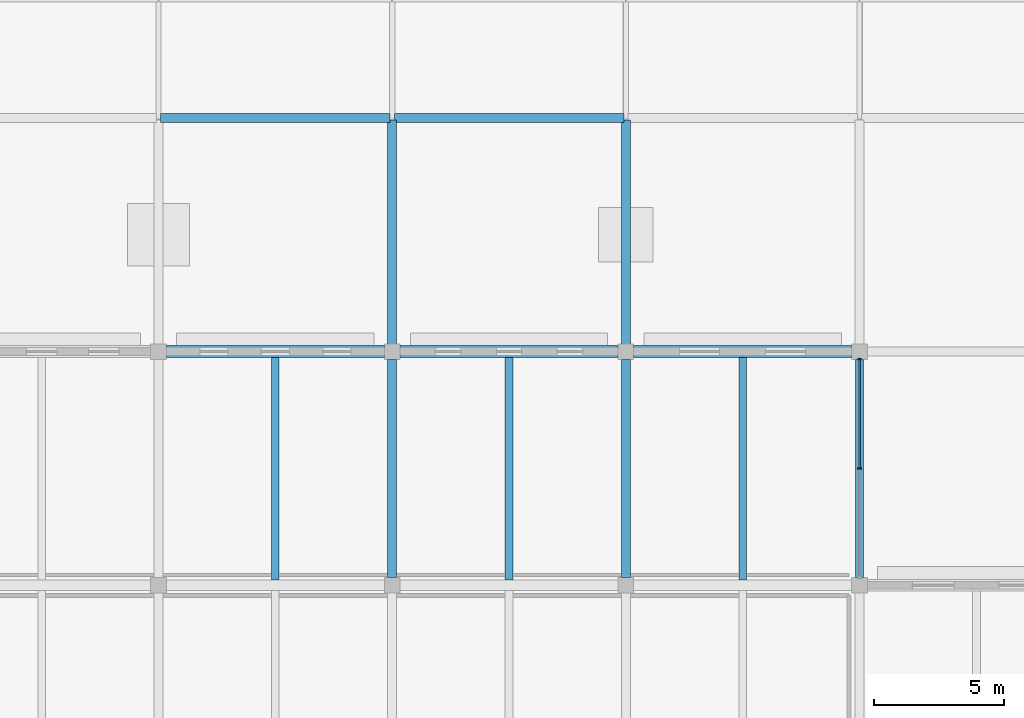
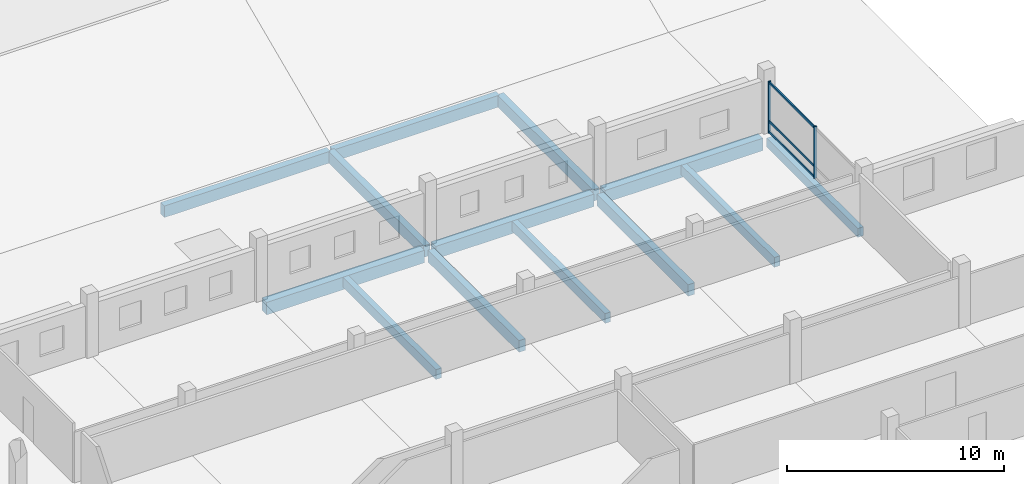
# One storey, part 17 of 163: 13 beams, 5 members, 1 element without a shape of its own.
"""IFC4 building model written with IfcOpenShell, lengths in metres."""

import ifcopenshell
import ifcopenshell.guid

model = None  # the IFC model being written
_history = None  # IfcOwnerHistory: only IFC2X3 demands one
_inside = {}  # id of a spatial element -> (the spatial element, [elements in it])
_under = {}  # id of a project, library or spatial element -> (it, [spatial elements below it])
_declared = {}  # id of a project -> (the project, [libraries it declares])
_typed = {}  # id of a type object -> (the type object, [elements of that type])
_made_of = {}  # id of a material, layer set ... -> (it, [elements and type objects made of it])


def new_model(schema):
    """Start an empty IFC model of exactly this schema.

    Asked for "IFC4X3", IfcOpenShell would pick the latest addendum, in which some entities
    have other attributes; the version numbers below select the first issue.
    IFC2X3 requires an IfcOwnerHistory on every rooted entity: one is made here for all.
    """
    global model, _history
    if schema == "IFC4X3":
        model = ifcopenshell.file(schema_version=(4, 3, 0, 0))
    else:
        model = ifcopenshell.file(schema=schema)
    _inside.clear()
    _under.clear()
    _declared.clear()
    _typed.clear()
    _made_of.clear()
    _history = None
    if model.schema == "IFC2X3":
        org = make("IfcOrganization", Name="unknown")
        user = make(
            "IfcPersonAndOrganization",
            ThePerson=make("IfcPerson", FamilyName="unknown"),
            TheOrganization=org,
        )
        app = make(
            "IfcApplication",
            ApplicationDeveloper=org,
            Version="unknown",
            ApplicationFullName="unknown",
            ApplicationIdentifier="unknown",
        )
        _history = make(
            "IfcOwnerHistory",
            OwningUser=user,
            OwningApplication=app,
            ChangeAction="ADDED",
            CreationDate=0,
        )
    return model


def make(cls, **values):
    """One entity of the class cls with the attributes given. An attribute that is None is left unset."""
    return model.create_entity(
        cls, **{name: value for name, value in values.items() if value is not None}
    )


def rooted(cls, **values):
    """An entity with a GlobalId (a new one), such as an element, a storey or a relation."""
    return make(cls, GlobalId=ifcopenshell.guid.new(), OwnerHistory=_history, **values)


def si_unit(unit_type, name, prefix=None):
    """IfcSIUnit, for example si_unit("LENGTHUNIT", "METRE", prefix="MILLI")."""
    return make("IfcSIUnit", UnitType=unit_type, Prefix=prefix, Name=name)


def assignment(units):
    """IfcUnitAssignment: the units of a project."""
    return None if units is None else make("IfcUnitAssignment", Units=units)


def point(xyz):
    """IfcCartesianPoint."""
    return None if xyz is None else make("IfcCartesianPoint", Coordinates=xyz)


def direction(xyz):
    """IfcDirection."""
    return None if xyz is None else make("IfcDirection", DirectionRatios=xyz)


def frame(location, z_axis=None, x_axis=None):
    """IfcAxis2Placement3D, a coordinate frame: its origin and axes. An axis left out is left unset."""
    return make(
        "IfcAxis2Placement3D",
        Location=point(location),
        Axis=direction(z_axis),
        RefDirection=direction(x_axis),
    )


def frame_2d(location, x_axis=None):
    """IfcAxis2Placement2D, a coordinate frame in the plane: its origin and x axis."""
    return make(
        "IfcAxis2Placement2D", Location=point(location), RefDirection=direction(x_axis)
    )


def origin():
    """The frame at (0, 0, 0) with its axes left unset."""
    return frame((0.0, 0.0, 0.0))


def origin_2d():
    """The frame at (0, 0) in the plane with its x axis left unset."""
    return frame_2d((0.0, 0.0))


def place(relative_to, where):
    """IfcLocalPlacement: puts the frame where relative to a parent placement (None: the world)."""
    return make(
        "IfcLocalPlacement", PlacementRelTo=relative_to, RelativePlacement=where
    )


def context(
    kind, dimensions, precision=None, world=None, true_north=None, identifier=None
):
    """IfcGeometricRepresentationContext, for example the 3D "Model" context."""
    return make(
        "IfcGeometricRepresentationContext",
        ContextIdentifier=identifier,
        ContextType=kind,
        CoordinateSpaceDimension=dimensions,
        Precision=precision,
        WorldCoordinateSystem=world,
        TrueNorth=true_north,
    )


def subcontext(parent, identifier, kind, view, scale=None):
    """IfcGeometricRepresentationSubContext, for example "Body" below "Model"."""
    return make(
        "IfcGeometricRepresentationSubContext",
        ContextIdentifier=identifier,
        ContextType=kind,
        ParentContext=parent,
        TargetScale=scale,
        TargetView=view,
    )


def project(units=None, contexts=None):
    """IfcProject with its units and contexts."""
    return rooted(
        "IfcProject",
        Name="project",
        RepresentationContexts=contexts,
        UnitsInContext=assignment(units),
    )


def spatial(cls, under=None, at=None, **own):
    """A site, building, storey or space (cls), placed at a placement, below another one or the project."""
    s = rooted(cls, ObjectPlacement=at, **own)
    if under is not None:
        _under.setdefault(under.id(), (under, []))[1].append(s)
    return s


def profile(cls, at=None, kind="AREA", **sizes):
    """A parametric profile (cls). Its sizes go by their IFC names, for example OverallWidth=200.0."""
    return make(cls, ProfileType=kind, Position=at, **sizes)


def rectangle(**sizes):
    """IfcRectangleProfileDef."""
    return profile("IfcRectangleProfileDef", **sizes)


def extrude(swept, where, along, depth):
    """IfcExtrudedAreaSolid: the profile swept, set in the frame where, extruded along a direction by depth."""
    return make(
        "IfcExtrudedAreaSolid",
        SweptArea=swept,
        Position=where,
        ExtrudedDirection=direction(along),
        Depth=depth,
    )


def shape(context_of_items, identifier, shape_type, items):
    """IfcShapeRepresentation: the items that make up one representation, for example the "Body"."""
    return make(
        "IfcShapeRepresentation",
        ContextOfItems=context_of_items,
        RepresentationIdentifier=identifier,
        RepresentationType=shape_type,
        Items=items,
    )


def material(Name=None, Category=None):
    """IfcMaterial."""
    return make("IfcMaterial", Name=Name, Category=Category)


def material_profile(
    of_material, cross_section, Name=None, Category=None, Priority=None
):
    """IfcMaterialProfile: a cross section and its material."""
    return make(
        "IfcMaterialProfile",
        Name=Name,
        Material=of_material,
        Profile=cross_section,
        Priority=Priority,
        Category=Category,
    )


def profile_set(profiles, Name=None, composite=None):
    """IfcMaterialProfileSet."""
    return make(
        "IfcMaterialProfileSet",
        Name=Name,
        MaterialProfiles=profiles,
        CompositeProfile=composite,
    )


def made_of(thing, what):
    """Note that an element or type object is made of a material, layer set ...; save() writes the relation."""
    if what is not None:
        _made_of.setdefault(what.id(), (what, []))[1].append(thing)
    return thing


def type_object(cls, material=None, **own):
    """A type object (cls), such as IfcWallType, which elements share."""
    return made_of(rooted(cls, **own), material)


def element(
    cls,
    number,
    at=None,
    inside=None,
    cuts=None,
    type_object=None,
    material=None,
    context=None,
    identifier="Body",
    shape_type=None,
    held_by="IfcProductDefinitionShape",
    body=None,
    shapes=None,
    **own,
):
    """One element of the class cls, such as IfcWall. Its Tag is "e" and its number.

    at: its placement. inside: the storey or other place that contains it. cuts: it is an
    opening in that element (IfcRelVoidsElement). A single representation is given by context,
    identifier, shape_type and body (its items); several are given by shapes. held_by: the class
    of the entity that holds the representations. save() writes the other relations.
    """
    e = rooted(cls, Tag="e%d" % number, ObjectPlacement=at, **own)
    if body is not None:
        shapes = [shape(context, identifier, shape_type, body)]
    if shapes is not None:
        e.Representation = make(held_by, Representations=shapes)
    if inside is not None:
        _inside.setdefault(inside.id(), (inside, []))[1].append(e)
    if cuts is not None:
        rooted(
            "IfcRelVoidsElement", RelatingBuildingElement=cuts, RelatedOpeningElement=e
        )
    if type_object is not None:
        _typed.setdefault(type_object.id(), (type_object, []))[1].append(e)
    return made_of(e, material)


def aggregate(whole, parts):
    """IfcRelAggregates: a whole, such as a stair, and the parts it consists of."""
    return rooted("IfcRelAggregates", RelatingObject=whole, RelatedObjects=parts)


def save(model, path):
    """Write the relations noted so far, then the file.

    IfcRelAggregates (storeys below a building ...), IfcRelContainedInSpatialStructure (elements
    in a storey), IfcRelDefinesByType, IfcRelAssociatesMaterial and IfcRelDeclares: one each for
    every whole, place, type object, material and project.
    """
    for whole, parts in _under.values():
        aggregate(whole, parts)
    for where, things in _inside.values():
        rooted(
            "IfcRelContainedInSpatialStructure",
            RelatedElements=things,
            RelatingStructure=where,
        )
    for kind, things in _typed.values():
        rooted("IfcRelDefinesByType", RelatedObjects=things, RelatingType=kind)
    for what, things in _made_of.values():
        rooted("IfcRelAssociatesMaterial", RelatedObjects=things, RelatingMaterial=what)
    for by, libraries in _declared.values():
        rooted("IfcRelDeclares", RelatingContext=by, RelatedDefinitions=libraries)
    model.write(path)


model = new_model("IFC4")

# Units and contexts
model_context = context("Model", 3, precision=1e-05, world=origin(), true_north=direction((0.0, 1.0)))
body_context = subcontext(model_context, "Body", "Model", "MODEL_VIEW")
ifc_project = project(units=[si_unit("LENGTHUNIT", "METRE"), si_unit("AREAUNIT", "SQUARE_METRE"), si_unit("VOLUMEUNIT", "CUBIC_METRE"), si_unit("PLANEANGLEUNIT", "RADIAN"), si_unit("MASSUNIT", "GRAM", prefix="KILO")], contexts=[model_context])

# Site, building, storey
site_placement = place(None, origin())
site = spatial("IfcSite", under=ifc_project, at=site_placement, CompositionType="ELEMENT")
building_placement = place(site_placement, origin())
building = spatial("IfcBuilding", under=site, at=building_placement, Name="Tharagai Park Tramway Depot", CompositionType="ELEMENT")
storey_placement = place(building_placement, frame((0.0, 0.0, 8.39990234375)))
storey = spatial("IfcBuildingStorey", under=building, at=storey_placement, Name="L02", CompositionType="ELEMENT", Elevation=8.39990234375)

# Beams
ifc_material_1 = material(Name="Concrete M35", Category="concrete")
ifc_material_profile_1 = material_profile(ifc_material_1, rectangle(XDim=0.35009765625, YDim=0.64990234375, at=origin_2d()), Name="RC 350x650")
ifc_profile_set_1 = profile_set([ifc_material_profile_1], Name="Concrete M35")
beam_type_1 = type_object("IfcBeamType", Name="BM-13", PredefinedType="BEAM", material=ifc_profile_set_1)
for number, where, z_axis, x_axis, name in (
    (1, (36.0, 27.300048828125, -0.574951171875), (0.0, 1.0, 0.0), (-1.0, 0.0, 0.0), "L02 Grid Beam BM-13"),
    (2, (45.0, 27.300048828125, -0.574951171875), (0.0, 1.0, 0.0), (-1.0, 0.0, 0.0), "L02 Grid Beam BM-13"),
):
    element("IfcBeam", number, at=place(storey_placement, frame(where, z_axis=z_axis, x_axis=x_axis)), inside=storey, type_object=beam_type_1, Name=name, PredefinedType="BEAM", context=body_context, shape_type="SweptSolid", body=[
        extrude(rectangle(XDim=0.35009765625, YDim=0.64990234375, at=origin_2d()), origin(), (0.0, 0.0, 1.0), 8.39990234375),
    ])
for number, where, z_axis, x_axis, name in (
    (3, (36.0, 36.080078125, -0.56494140625), (0.0, 1.0, 0.0), (-1.0, 0.0, 0.0), "L02 Roof Support Beam BM-13"),
    (4, (45.0, 36.080078125, -0.56494140625), (0.0, 1.0, 0.0), (-1.0, 0.0, 0.0), "L02 Roof Support Beam BM-13"),
    (5, (27.080078125, 45.0, -0.56494140625), (1.0, 0.0, 0.0), (0.0, 1.0, 0.0), "L02 Roof Support Beam BM-13"),
    (6, (36.080078125, 45.0, -0.56494140625), (1.0, 0.0, 0.0), (0.0, 1.0, 0.0), "L02 Roof Support Beam BM-13"),
):
    element("IfcBeam", number, at=place(storey_placement, frame(where, z_axis=z_axis, x_axis=x_axis)), inside=storey, type_object=beam_type_1, Name=name, PredefinedType="BEAM", context=body_context, shape_type="SweptSolid", body=[
        extrude(rectangle(XDim=0.35009765625, YDim=0.64990234375, at=origin_2d()), origin(), (0.0, 0.0, 1.0), 8.83984375),
    ])

# Curtain wall, members
ifc_material_2 = material(Name="Anodised aluminium", Category="aluminium")
curtain_wall_type = type_object("IfcCurtainWallType", Name="CW-07", PredefinedType="NOTDEFINED", material=ifc_material_2)
curtain_wall_placement = place(storey_placement, origin())
curtain_wall = element("IfcCurtainWall", 7, at=curtain_wall_placement, inside=storey, type_object=curtain_wall_type, Name="L02 V4 Side Mullioned Curtain Wall CW-07", PredefinedType="NOTDEFINED")
ifc_material_profile_2 = material_profile(ifc_material_2, rectangle(XDim=0.06494140625, YDim=0.1201171875, at=origin_2d()), Name="ALU 65x120")
ifc_profile_set_2 = profile_set([ifc_material_profile_2], Name="Anodised aluminium")
member_type_1 = type_object("IfcMemberType", Name="CM-01", PredefinedType="USERDEFINED", material=ifc_profile_set_2)
member_1_placement = place(storey_placement, frame((54.0, 31.514892578125, 0.06005859375), z_axis=(0.0, 1.0, 0.0), x_axis=(-1.0, 0.0, 0.0)))
member_1 = element("IfcMember", 8, at=member_1_placement, type_object=member_type_1, Name="L02 V4 Side Mullioned Curtain Wall Transom 2.1", ObjectType="TRANSOM", PredefinedType="USERDEFINED", context=body_context, shape_type="SweptSolid", body=[
    extrude(rectangle(XDim=0.06494140625, YDim=0.1201171875, at=origin_2d()), origin(), (0.0, 0.0, 1.0), 4.18017578125),
])
member_2_placement = place(storey_placement, frame((54.0, 31.514892578125, 0.650146484375), z_axis=(0.0, 1.0, 0.0), x_axis=(-1.0, 0.0, 0.0)))
member_2 = element("IfcMember", 9, at=member_2_placement, type_object=member_type_1, Name="L02 V4 Side Mullioned Curtain Wall Transom 2.2", ObjectType="TRANSOM", PredefinedType="USERDEFINED", context=body_context, shape_type="SweptSolid", body=[
    extrude(rectangle(XDim=0.06494140625, YDim=0.1201171875, at=origin_2d()), origin(), (0.0, 0.0, 1.0), 4.18017578125),
])
member_3_placement = place(storey_placement, frame((54.0, 31.514892578125, 2.830078125), z_axis=(0.0, 1.0, 0.0), x_axis=(-1.0, 0.0, 0.0)))
member_3 = element("IfcMember", 10, at=member_3_placement, type_object=member_type_1, Name="L02 V4 Side Mullioned Curtain Wall Transom 2.3", ObjectType="TRANSOM", PredefinedType="USERDEFINED", context=body_context, shape_type="SweptSolid", body=[
    extrude(rectangle(XDim=0.06494140625, YDim=0.1201171875, at=origin_2d()), origin(), (0.0, 0.0, 1.0), 4.18017578125),
])
ifc_material_profile_3 = material_profile(ifc_material_2, rectangle(XDim=0.06494140625, YDim=0.14990234375, at=origin_2d()), Name="ALU 65x150")
ifc_profile_set_3 = profile_set([ifc_material_profile_3], Name="Anodised aluminium")
member_type_2 = type_object("IfcMemberType", Name="CM-03", PredefinedType="MULLION", material=ifc_profile_set_3)
member_4_placement = place(storey_placement, frame((54.0, 31.5, -0.0048828125), z_axis=(0.0, 0.0, 1.0), x_axis=(0.0, 1.0, 0.0)))
member_4 = element("IfcMember", 11, at=member_4_placement, type_object=member_type_2, Name="L02 V4 Side Mullioned Curtain Wall Mullion 2", PredefinedType="MULLION", context=body_context, shape_type="SweptSolid", body=[
    extrude(rectangle(XDim=0.06494140625, YDim=0.14990234375, at=origin_2d()), origin(), (0.0, 0.0, 1.0), 2.919921875),
])
member_5_placement = place(storey_placement, frame((54.0, 35.7099609375, -0.0048828125), z_axis=(0.0, 0.0, 1.0), x_axis=(0.0, 1.0, 0.0)))
member_5 = element("IfcMember", 12, at=member_5_placement, type_object=member_type_2, Name="L02 V4 Side Mullioned Curtain Wall Mullion 3", PredefinedType="MULLION", context=body_context, shape_type="SweptSolid", body=[
    extrude(rectangle(XDim=0.06494140625, YDim=0.14990234375, at=origin_2d()), origin(), (0.0, 0.0, 1.0), 2.919921875),
])
aggregate(curtain_wall, [member_4, member_5, member_1, member_2, member_3])

# Beams
ifc_material_profile_4 = material_profile(ifc_material_1, rectangle(XDim=0.300048828125, YDim=0.550048828125, at=origin_2d()), Name="RC 300x550")
ifc_profile_set_4 = profile_set([ifc_material_profile_4], Name="Concrete M35")
beam_type_2 = type_object("IfcBeamType", Name="JT-06", PredefinedType="JOIST", material=ifc_profile_set_4)
for number, where, z_axis, x_axis, name in (
    (13, (31.5, 27.199951171875, -0.52490234375), (0.0, 1.0, 0.0), (-1.0, 0.0, 0.0), "L02 Secondary Joist JT-06"),
    (14, (40.5, 27.199951171875, -0.52490234375), (0.0, 1.0, 0.0), (-1.0, 0.0, 0.0), "L02 Secondary Joist JT-06"),
    (15, (49.5, 27.199951171875, -0.52490234375), (0.0, 1.0, 0.0), (-1.0, 0.0, 0.0), "L02 Secondary Joist JT-06"),
):
    element("IfcBeam", number, at=place(storey_placement, frame(where, z_axis=z_axis, x_axis=x_axis)), inside=storey, type_object=beam_type_2, Name=name, PredefinedType="JOIST", context=body_context, shape_type="SweptSolid", body=[
        extrude(rectangle(XDim=0.300048828125, YDim=0.550048828125, at=origin_2d()), origin(), (0.0, 0.0, 1.0), 8.574951171875),
    ])
ifc_material_profile_5 = material_profile(ifc_material_1, rectangle(XDim=0.449951171875, YDim=0.699951171875, at=origin_2d()), Name="RC 450x700")
ifc_profile_set_5 = profile_set([ifc_material_profile_5], Name="Concrete M35")
beam_type_3 = type_object("IfcBeamType", Name="SP-01", PredefinedType="SPANDREL", material=ifc_profile_set_5)
for number, where, z_axis, x_axis, name in (
    (16, (27.300048828125, 36.0, -0.599853515625), (1.0, 0.0, 0.0), (0.0, 1.0, 0.0), "L02 Grid Beam SP-01"),
    (17, (36.300048828125, 36.0, -0.599853515625), (1.0, 0.0, 0.0), (0.0, 1.0, 0.0), "L02 Grid Beam SP-01"),
    (18, (45.300048828125, 36.0, -0.599853515625), (1.0, 0.0, 0.0), (0.0, 1.0, 0.0), "L02 Grid Beam SP-01"),
):
    element("IfcBeam", number, at=place(storey_placement, frame(where, z_axis=z_axis, x_axis=x_axis)), inside=storey, type_object=beam_type_3, Name=name, PredefinedType="SPANDREL", context=body_context, shape_type="SweptSolid", body=[
        extrude(rectangle(XDim=0.449951171875, YDim=0.699951171875, at=origin_2d()), origin(), (0.0, 0.0, 1.0), 8.39990234375),
    ])
ifc_material_profile_6 = material_profile(ifc_material_1, rectangle(XDim=0.300048828125, YDim=0.5, at=origin_2d()), Name="RC 300x500")
ifc_profile_set_6 = profile_set([ifc_material_profile_6], Name="Concrete M35")
beam_type_4 = type_object("IfcBeamType", Name="SP-03", PredefinedType="SPANDREL", material=ifc_profile_set_6)
beam_placement = place(storey_placement, frame((54.0, 27.300048828125, -0.5), z_axis=(0.0, 1.0, 0.0), x_axis=(-1.0, 0.0, 0.0)))
element("IfcBeam", 19, at=beam_placement, inside=storey, type_object=beam_type_4, Name="L02 Grid Beam SP-03", PredefinedType="SPANDREL", context=body_context, shape_type="SweptSolid", body=[
    extrude(rectangle(XDim=0.300048828125, YDim=0.5, at=origin_2d()), origin(), (0.0, 0.0, 1.0), 8.39990234375),
])

save(model, "model.ifc")
